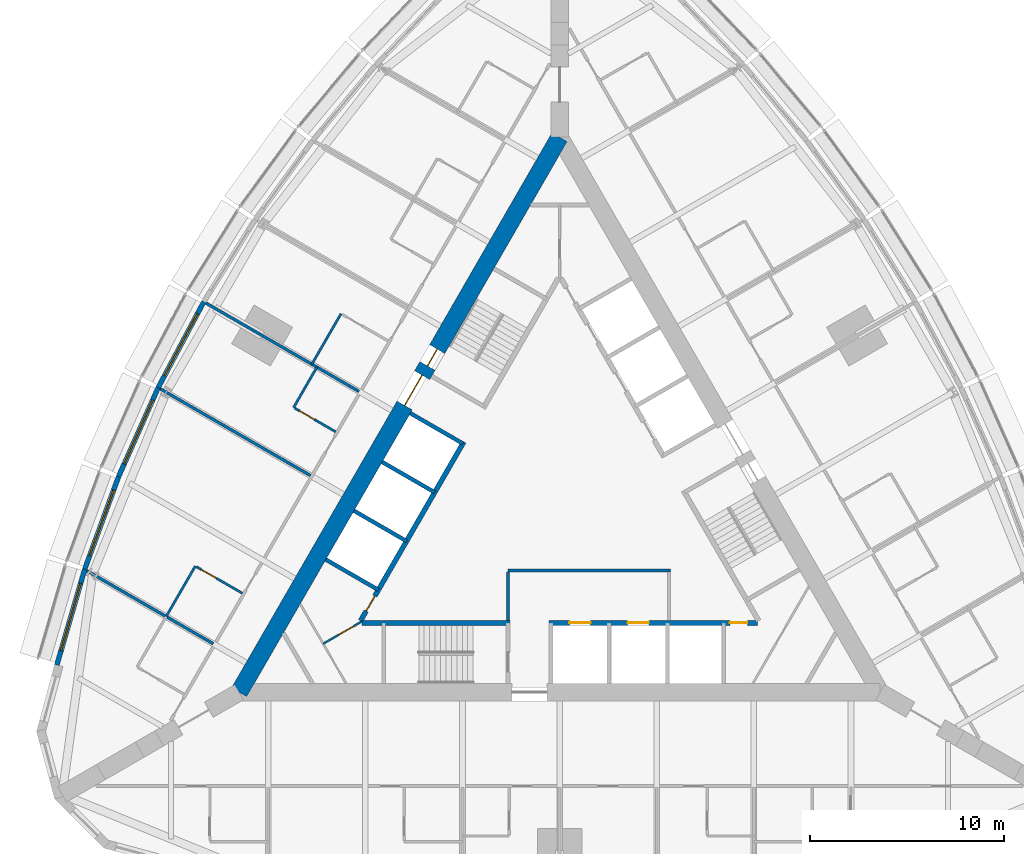
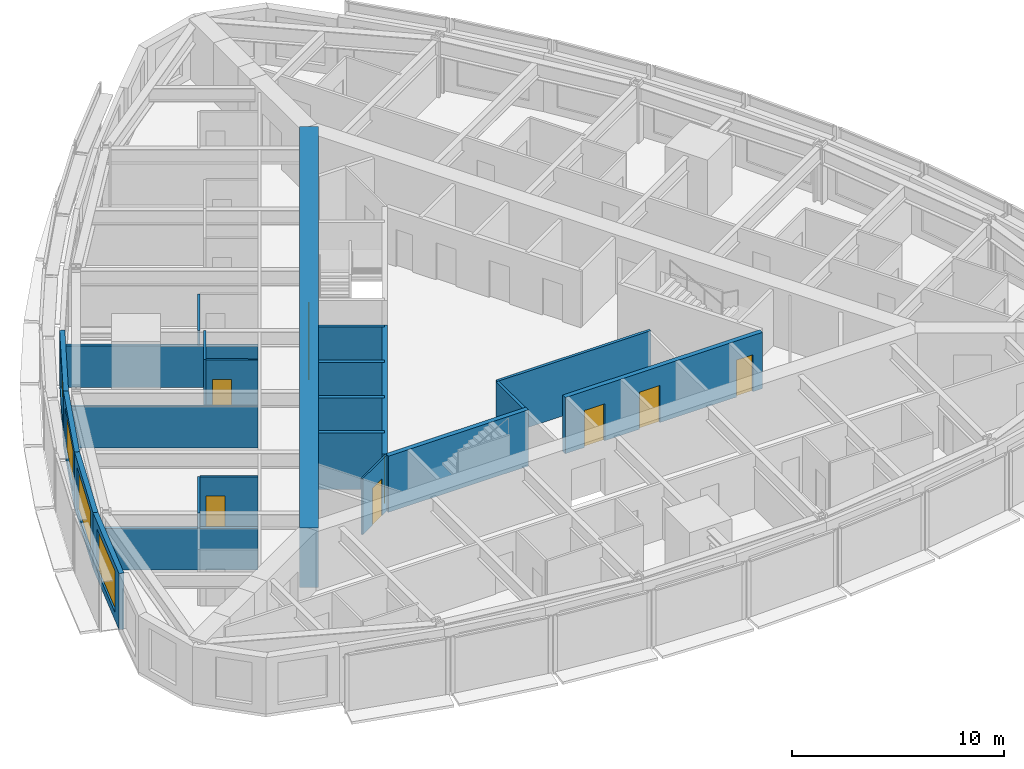
# One storey, part 9 of 14: 23 walls, 9 doors, 4 windows, 13 openings.
"""IFC4 building model written with IfcOpenShell, lengths in metres."""

import ifcopenshell
import ifcopenshell.guid

model = None  # the IFC model being written
_history = None  # IfcOwnerHistory: only IFC2X3 demands one
_inside = {}  # id of a spatial element -> (the spatial element, [elements in it])
_under = {}  # id of a project, library or spatial element -> (it, [spatial elements below it])
_declared = {}  # id of a project -> (the project, [libraries it declares])
_typed = {}  # id of a type object -> (the type object, [elements of that type])
_made_of = {}  # id of a material, layer set ... -> (it, [elements and type objects made of it])


def new_model(schema):
    """Start an empty IFC model of exactly this schema.

    Asked for "IFC4X3", IfcOpenShell would pick the latest addendum, in which some entities
    have other attributes; the version numbers below select the first issue.
    IFC2X3 requires an IfcOwnerHistory on every rooted entity: one is made here for all.
    """
    global model, _history
    if schema == "IFC4X3":
        model = ifcopenshell.file(schema_version=(4, 3, 0, 0))
    else:
        model = ifcopenshell.file(schema=schema)
    _inside.clear()
    _under.clear()
    _declared.clear()
    _typed.clear()
    _made_of.clear()
    _history = None
    if model.schema == "IFC2X3":
        org = make("IfcOrganization", Name="unknown")
        user = make(
            "IfcPersonAndOrganization",
            ThePerson=make("IfcPerson", FamilyName="unknown"),
            TheOrganization=org,
        )
        app = make(
            "IfcApplication",
            ApplicationDeveloper=org,
            Version="unknown",
            ApplicationFullName="unknown",
            ApplicationIdentifier="unknown",
        )
        _history = make(
            "IfcOwnerHistory",
            OwningUser=user,
            OwningApplication=app,
            ChangeAction="ADDED",
            CreationDate=0,
        )
    return model


def make(cls, **values):
    """One entity of the class cls with the attributes given. An attribute that is None is left unset."""
    return model.create_entity(
        cls, **{name: value for name, value in values.items() if value is not None}
    )


def rooted(cls, **values):
    """An entity with a GlobalId (a new one), such as an element, a storey or a relation."""
    return make(cls, GlobalId=ifcopenshell.guid.new(), OwnerHistory=_history, **values)


def si_unit(unit_type, name, prefix=None):
    """IfcSIUnit, for example si_unit("LENGTHUNIT", "METRE", prefix="MILLI")."""
    return make("IfcSIUnit", UnitType=unit_type, Prefix=prefix, Name=name)


def assignment(units):
    """IfcUnitAssignment: the units of a project."""
    return None if units is None else make("IfcUnitAssignment", Units=units)


def point(xyz):
    """IfcCartesianPoint."""
    return None if xyz is None else make("IfcCartesianPoint", Coordinates=xyz)


def direction(xyz):
    """IfcDirection."""
    return None if xyz is None else make("IfcDirection", DirectionRatios=xyz)


def frame(location, z_axis=None, x_axis=None):
    """IfcAxis2Placement3D, a coordinate frame: its origin and axes. An axis left out is left unset."""
    return make(
        "IfcAxis2Placement3D",
        Location=point(location),
        Axis=direction(z_axis),
        RefDirection=direction(x_axis),
    )


def frame_2d(location, x_axis=None):
    """IfcAxis2Placement2D, a coordinate frame in the plane: its origin and x axis."""
    return make(
        "IfcAxis2Placement2D", Location=point(location), RefDirection=direction(x_axis)
    )


def origin():
    """The frame at (0, 0, 0) with its axes left unset."""
    return frame((0.0, 0.0, 0.0))


def place(relative_to, where):
    """IfcLocalPlacement: puts the frame where relative to a parent placement (None: the world)."""
    return make(
        "IfcLocalPlacement", PlacementRelTo=relative_to, RelativePlacement=where
    )


def context(
    kind, dimensions, precision=None, world=None, true_north=None, identifier=None
):
    """IfcGeometricRepresentationContext, for example the 3D "Model" context."""
    return make(
        "IfcGeometricRepresentationContext",
        ContextIdentifier=identifier,
        ContextType=kind,
        CoordinateSpaceDimension=dimensions,
        Precision=precision,
        WorldCoordinateSystem=world,
        TrueNorth=true_north,
    )


def subcontext(parent, identifier, kind, view, scale=None):
    """IfcGeometricRepresentationSubContext, for example "Body" below "Model"."""
    return make(
        "IfcGeometricRepresentationSubContext",
        ContextIdentifier=identifier,
        ContextType=kind,
        ParentContext=parent,
        TargetScale=scale,
        TargetView=view,
    )


def project(units=None, contexts=None):
    """IfcProject with its units and contexts."""
    return rooted(
        "IfcProject",
        Name="project",
        RepresentationContexts=contexts,
        UnitsInContext=assignment(units),
    )


def spatial(cls, under=None, at=None, **own):
    """A site, building, storey or space (cls), placed at a placement, below another one or the project."""
    s = rooted(cls, ObjectPlacement=at, **own)
    if under is not None:
        _under.setdefault(under.id(), (under, []))[1].append(s)
    return s


def profile(cls, at=None, kind="AREA", **sizes):
    """A parametric profile (cls). Its sizes go by their IFC names, for example OverallWidth=200.0."""
    return make(cls, ProfileType=kind, Position=at, **sizes)


def rectangle(**sizes):
    """IfcRectangleProfileDef."""
    return profile("IfcRectangleProfileDef", **sizes)


def extrude(swept, where, along, depth):
    """IfcExtrudedAreaSolid: the profile swept, set in the frame where, extruded along a direction by depth."""
    return make(
        "IfcExtrudedAreaSolid",
        SweptArea=swept,
        Position=where,
        ExtrudedDirection=direction(along),
        Depth=depth,
    )


def shape(context_of_items, identifier, shape_type, items):
    """IfcShapeRepresentation: the items that make up one representation, for example the "Body"."""
    return make(
        "IfcShapeRepresentation",
        ContextOfItems=context_of_items,
        RepresentationIdentifier=identifier,
        RepresentationType=shape_type,
        Items=items,
    )


def material(Name=None, Category=None):
    """IfcMaterial."""
    return make("IfcMaterial", Name=Name, Category=Category)


def layer(
    of_material, thickness, ventilated=None, Name=None, Category=None, Priority=None
):
    """IfcMaterialLayer: one layer of a wall or slab, of a material (None: an air gap)."""
    return make(
        "IfcMaterialLayer",
        Material=of_material,
        LayerThickness=thickness,
        IsVentilated=ventilated,
        Name=Name,
        Category=Category,
        Priority=Priority,
    )


def layer_set(layers, Name=None):
    """IfcMaterialLayerSet."""
    return make("IfcMaterialLayerSet", MaterialLayers=layers, LayerSetName=Name)


def made_of(thing, what):
    """Note that an element or type object is made of a material, layer set ...; save() writes the relation."""
    if what is not None:
        _made_of.setdefault(what.id(), (what, []))[1].append(thing)
    return thing


def type_object(cls, material=None, **own):
    """A type object (cls), such as IfcWallType, which elements share."""
    return made_of(rooted(cls, **own), material)


def element(
    cls,
    number,
    at=None,
    inside=None,
    cuts=None,
    type_object=None,
    material=None,
    context=None,
    identifier="Body",
    shape_type=None,
    held_by="IfcProductDefinitionShape",
    body=None,
    shapes=None,
    **own,
):
    """One element of the class cls, such as IfcWall. Its Tag is "e" and its number.

    at: its placement. inside: the storey or other place that contains it. cuts: it is an
    opening in that element (IfcRelVoidsElement). A single representation is given by context,
    identifier, shape_type and body (its items); several are given by shapes. held_by: the class
    of the entity that holds the representations. save() writes the other relations.
    """
    e = rooted(cls, Tag="e%d" % number, ObjectPlacement=at, **own)
    if body is not None:
        shapes = [shape(context, identifier, shape_type, body)]
    if shapes is not None:
        e.Representation = make(held_by, Representations=shapes)
    if inside is not None:
        _inside.setdefault(inside.id(), (inside, []))[1].append(e)
    if cuts is not None:
        rooted(
            "IfcRelVoidsElement", RelatingBuildingElement=cuts, RelatedOpeningElement=e
        )
    if type_object is not None:
        _typed.setdefault(type_object.id(), (type_object, []))[1].append(e)
    return made_of(e, material)


def fill(opening, filler):
    """IfcRelFillsElement: the door or window that sits in an opening."""
    return rooted(
        "IfcRelFillsElement",
        RelatingOpeningElement=opening,
        RelatedBuildingElement=filler,
    )


def aggregate(whole, parts):
    """IfcRelAggregates: a whole, such as a stair, and the parts it consists of."""
    return rooted("IfcRelAggregates", RelatingObject=whole, RelatedObjects=parts)


def save(model, path):
    """Write the relations noted so far, then the file.

    IfcRelAggregates (storeys below a building ...), IfcRelContainedInSpatialStructure (elements
    in a storey), IfcRelDefinesByType, IfcRelAssociatesMaterial and IfcRelDeclares: one each for
    every whole, place, type object, material and project.
    """
    for whole, parts in _under.values():
        aggregate(whole, parts)
    for where, things in _inside.values():
        rooted(
            "IfcRelContainedInSpatialStructure",
            RelatedElements=things,
            RelatingStructure=where,
        )
    for kind, things in _typed.values():
        rooted("IfcRelDefinesByType", RelatedObjects=things, RelatingType=kind)
    for what, things in _made_of.values():
        rooted("IfcRelAssociatesMaterial", RelatedObjects=things, RelatingMaterial=what)
    for by, libraries in _declared.values():
        rooted("IfcRelDeclares", RelatingContext=by, RelatedDefinitions=libraries)
    model.write(path)


model = new_model("IFC4")

# Units and contexts
model_context = context("Model", 3, precision=1e-05, world=origin(), true_north=direction((0.0, 1.0)))
body_context = subcontext(model_context, "Body", "Model", "MODEL_VIEW")
ifc_project = project(units=[si_unit("LENGTHUNIT", "METRE"), si_unit("AREAUNIT", "SQUARE_METRE"), si_unit("VOLUMEUNIT", "CUBIC_METRE"), si_unit("PLANEANGLEUNIT", "RADIAN"), si_unit("MASSUNIT", "GRAM", prefix="KILO")], contexts=[model_context])

# Site, building, storey
site_placement = place(None, origin())
site = spatial("IfcSite", under=ifc_project, at=site_placement, CompositionType="ELEMENT")
building_placement = place(site_placement, origin())
building = spatial("IfcBuilding", under=site, at=building_placement, Name="Trikona Tower", CompositionType="ELEMENT")
storey_placement = place(building_placement, frame((0.0, 0.0, 124.89990234375)))
storey = spatial("IfcBuildingStorey", under=building, at=storey_placement, Name="L32", CompositionType="ELEMENT", Elevation=124.89990234375)

# Walls
ifc_material_1 = material(Name="Metal stud and cement board", Category="gypsum")
ifc_layer_1 = layer(ifc_material_1, 0.1201171875)
ifc_layer_set_1 = layer_set([ifc_layer_1], Name="Bathroom wall 120")
wall_type_1 = type_object("IfcWallType", Name="Bathroom wall 120", PredefinedType="PLUMBINGWALL", material=ifc_layer_set_1)
wall_1_placement = place(storey_placement, frame((-11.25341796875, 9.961181640625, 0.0), z_axis=(0.0, 0.0, 1.0), x_axis=(-0.499990139034, -0.866031096941, 0.0)))
element("IfcWall", 1, at=wall_1_placement, inside=storey, type_object=wall_type_1, Name="Bathroom wall 3215", PredefinedType="PLUMBINGWALL", context=body_context, shape_type="SweptSolid", body=[
    extrude(rectangle(XDim=3.0, YDim=0.1201171875, at=frame_2d((1.5, 0.0))), origin(), (0.0, 0.0, 1.0), 3.235107421875),
])
wall_2_placement = place(storey_placement, frame((-12.493408203125, 7.213134765625, 0.0), z_axis=(0.0, 0.0, 1.0), x_axis=(-0.500077600433, -0.865980596518, 0.0)))
element("IfcWall", 2, at=wall_2_placement, inside=storey, type_object=wall_type_1, Name="Bathroom wall 3216", PredefinedType="PLUMBINGWALL", context=body_context, shape_type="SweptSolid", body=[
    extrude(rectangle(XDim=2.39990234375, YDim=0.1201171875, at=frame_2d((1.199951171875, 0.0))), origin(), (0.0, 0.0, 1.0), 3.235107421875),
])

# Wall, opening, door
wall_3_placement = place(storey_placement, frame((-11.528564453125, 3.884765625, 0.0), z_axis=(0.0, 0.0, 1.0), x_axis=(-0.866023955769, 0.500002508028, 0.0)))
wall_3 = element("IfcWall", 3, at=wall_3_placement, inside=storey, type_object=wall_type_1, Name="Bathroom wall 3216", PredefinedType="PLUMBINGWALL", context=body_context, shape_type="SweptSolid", body=[
    extrude(rectangle(XDim=2.43994140625, YDim=0.1201171875, at=frame_2d((1.219970703125, 0.0))), origin(), (0.0, 0.0, 1.0), 3.235107421875),
])
opening_1_placement = place(wall_3_placement, frame((1.25, 0.0, 0.0)))
opening_1 = element("IfcOpeningElement", 4, at=opening_1_placement, cuts=wall_3, Name="Opening D2", PredefinedType="OPENING", context=body_context, shape_type="SweptSolid", body=[
    extrude(rectangle(XDim=0.89990234375, YDim=2.1298828125, at=frame_2d((0.449951171875, 1.06494140625))), frame((0.0, 0.070068359375, 0.0), z_axis=(0.0, -1.0, 0.0), x_axis=(1.0, 0.0, 0.0)), (0.0, 0.0, 1.0), 0.14013671875),
])
ifc_material_2 = material(Name="Steel door frame with solid-core timber leaf", Category="steel")
door_type_1 = type_object("IfcDoorType", Name="Bathroom door 900x2130", OperationType="SLIDING_TO_LEFT", PredefinedType="DOOR", material=ifc_material_2)
door_1_placement = place(opening_1_placement, origin())
door_1 = element("IfcDoor", 5, at=door_1_placement, inside=storey, type_object=door_type_1, Name="Bathroom door 3216", OperationType="SLIDING_TO_LEFT", OverallHeight=2.1298828125, OverallWidth=0.89990234375, PredefinedType="DOOR", context=body_context, shape_type="SweptSolid", body=[
    extrude(rectangle(XDim=0.89990234375, YDim=2.1298828125, at=frame_2d((0.449951171875, 1.06494140625))), frame((0.0, 0.02490234375, 0.0), z_axis=(0.0, -1.0, 0.0), x_axis=(1.0, 0.0, 0.0)), (0.0, 0.0, 1.0), 0.050048828125),
])
fill(opening_1, door_1)

# Wall
wall_4_placement = place(storey_placement, frame((-18.75341796875, -3.029296875, 0.0), z_axis=(0.0, 0.0, 1.0), x_axis=(-0.50002537861, -0.866010750942, 0.0)))
element("IfcWall", 6, at=wall_4_placement, inside=storey, type_object=wall_type_1, Name="Bathroom wall 3217", PredefinedType="PLUMBINGWALL", context=body_context, shape_type="SweptSolid", body=[
    extrude(rectangle(XDim=2.999755859375, YDim=0.1201171875, at=frame_2d((1.5, 0.0))), origin(), (0.0, 0.0, 1.0), 3.235107421875),
])

# Wall, opening, door
wall_5_placement = place(storey_placement, frame((-16.32861328125, -4.42919921875, 0.0), z_axis=(0.0, 0.0, 1.0), x_axis=(-0.865997131366, 0.500048966069, 0.0)))
wall_5 = element("IfcWall", 7, at=wall_5_placement, inside=storey, type_object=wall_type_1, Name="Bathroom wall 3217", PredefinedType="PLUMBINGWALL", context=body_context, shape_type="SweptSolid", body=[
    extrude(rectangle(XDim=2.739990234375, YDim=0.1201171875, at=frame_2d((1.3701171875, 0.0))), origin(), (0.0, 0.0, 1.0), 3.235107421875),
])
opening_2_placement = place(wall_5_placement, frame((1.550048828125, 0.0, 0.0)))
opening_2 = element("IfcOpeningElement", 8, at=opening_2_placement, cuts=wall_5, Name="Opening D2", PredefinedType="OPENING", context=body_context, shape_type="SweptSolid", body=[
    extrude(rectangle(XDim=0.89990234375, YDim=2.1298828125, at=frame_2d((0.449951171875, 1.06494140625))), frame((0.0, 0.070068359375, 0.0), z_axis=(0.0, -1.0, 0.0), x_axis=(1.0, 0.0, 0.0)), (0.0, 0.0, 1.0), 0.14013671875),
])
door_2_placement = place(opening_2_placement, origin())
door_2 = element("IfcDoor", 9, at=door_2_placement, inside=storey, type_object=door_type_1, Name="Bathroom door 3217", OperationType="SLIDING_TO_LEFT", OverallHeight=2.1298828125, OverallWidth=0.89990234375, PredefinedType="DOOR", context=body_context, shape_type="SweptSolid", body=[
    extrude(rectangle(XDim=0.89990234375, YDim=2.1298828125, at=frame_2d((0.449951171875, 1.06494140625))), frame((0.0, 0.02490234375, 0.0), z_axis=(0.0, -1.0, 0.0), x_axis=(1.0, 0.0, 0.0)), (0.0, 0.0, 1.0), 0.050048828125),
])
fill(opening_2, door_2)

# Wall, openings, doors
ifc_material_3 = material(Name="Concrete f'c 10000 psi", Category="concrete")
ifc_layer_2 = layer(ifc_material_3, 0.89990234375)
ifc_layer_set_2 = layer_set([ifc_layer_2], Name="Core wall 900")
wall_type_2 = type_object("IfcWallType", Name="Core wall 900", PredefinedType="SHEAR", material=ifc_layer_set_2)
wall_6_placement = place(storey_placement, frame((0.0, 19.052490234375, 0.0), z_axis=(0.0, 0.0, 1.0), x_axis=(-0.499999749417, -0.866025548458, 0.0)))
wall_6 = element("IfcWall", 10, at=wall_6_placement, inside=storey, type_object=wall_type_2, Name="Core wall C", PredefinedType="SHEAR", context=body_context, shape_type="SweptSolid", body=[
    extrude(rectangle(XDim=33.0, YDim=0.89990234375, at=frame_2d((16.5, 0.0))), origin(), (0.0, 0.0, 1.0), 3.400146484375),
])
opening_3_placement = place(wall_6_placement, frame((14.14990234375, 0.0, 0.0)))
opening_3 = element("IfcOpeningElement", 11, at=opening_3_placement, cuts=wall_6, Name="Opening D6", PredefinedType="OPENING", context=body_context, shape_type="SweptSolid", body=[
    extrude(rectangle(XDim=1.800048828125, YDim=2.1298828125, at=frame_2d((0.89990234375, 1.06494140625))), frame((0.0, 0.4599609375, 0.0), z_axis=(0.0, -1.0, 0.0), x_axis=(1.0, 0.0, 0.0)), (0.0, 0.0, 1.0), 0.919921875),
])
opening_4_placement = place(wall_6_placement, frame((12.60009765625, 0.0, 0.0)))
opening_4 = element("IfcOpeningElement", 12, at=opening_4_placement, cuts=wall_6, Name="Opening D5", PredefinedType="OPENING", context=body_context, shape_type="SweptSolid", body=[
    extrude(rectangle(XDim=1.0, YDim=2.1298828125, at=frame_2d((0.5, 1.06494140625))), frame((0.0, 0.4599609375, 0.0), z_axis=(0.0, -1.0, 0.0), x_axis=(1.0, 0.0, 0.0)), (0.0, 0.0, 1.0), 0.919921875),
])
ifc_material_4 = material(Name="Hollow metal door and frame", Category="steel")
door_type_2 = type_object("IfcDoorType", Name="Lobby door pair 1800x2130", OperationType="DOUBLE_DOOR_SINGLE_SWING", PredefinedType="DOOR", material=ifc_material_4)
door_3_placement = place(opening_3_placement, origin())
door_3 = element("IfcDoor", 13, at=door_3_placement, inside=storey, type_object=door_type_2, Name="Lift lobby door C", OperationType="DOUBLE_DOOR_SINGLE_SWING", OverallHeight=2.1298828125, OverallWidth=1.800048828125, PredefinedType="DOOR", context=body_context, shape_type="SweptSolid", body=[
    extrude(rectangle(XDim=1.800048828125, YDim=2.1298828125, at=frame_2d((0.89990234375, 1.06494140625))), frame((0.0, 0.02490234375, 0.0), z_axis=(0.0, -1.0, 0.0), x_axis=(1.0, 0.0, 0.0)), (0.0, 0.0, 1.0), 0.050048828125),
])
fill(opening_3, door_3)
ifc_material_5 = material(Name="Hollow metal door and frame", Category="steel")
door_type_3 = type_object("IfcDoorType", Name="Stair door 1000x2130", OperationType="SINGLE_SWING_LEFT", PredefinedType="DOOR", material=ifc_material_5)
door_4_placement = place(opening_4_placement, origin())
door_4 = element("IfcDoor", 14, at=door_4_placement, inside=storey, type_object=door_type_3, Name="Stair C door", OperationType="SINGLE_SWING_RIGHT", OverallHeight=2.1298828125, OverallWidth=1.0, PredefinedType="DOOR", context=body_context, shape_type="SweptSolid", body=[
    extrude(rectangle(XDim=1.0, YDim=2.1298828125, at=frame_2d((0.5, 1.06494140625))), frame((0.0, 0.02490234375, 0.0), z_axis=(0.0, -1.0, 0.0), x_axis=(1.0, 0.0, 0.0)), (0.0, 0.0, 1.0), 0.050048828125),
])
fill(opening_4, door_4)

# Wall
ifc_material_6 = material(Name="Concrete f'c 8000 psi", Category="concrete")
ifc_layer_3 = layer(ifc_material_6, 0.25)
ifc_layer_set_3 = layer_set([ifc_layer_3], Name="Hub wall 250")
wall_type_3 = type_object("IfcWallType", Name="Hub wall 250", PredefinedType="SOLIDWALL", material=ifc_layer_set_3)
wall_7_placement = place(storey_placement, frame((-10.182861328125, -5.951416015625, 0.0), z_axis=(0.0, 0.0, 1.0), x_axis=(1.0, 0.0, 0.0)))
element("IfcWall", 15, at=wall_7_placement, inside=storey, type_object=wall_type_3, Name="Lift lobby wall A1", PredefinedType="SOLIDWALL", context=body_context, shape_type="SweptSolid", body=[
    extrude(rectangle(XDim=7.6328125, YDim=0.25, at=frame_2d((3.81640625, 0.0))), origin(), (0.0, 0.0, 1.0), 3.235107421875),
])

# Wall, openings, doors
wall_8_placement = place(storey_placement, frame((-0.550048828125, -5.951416015625, 0.0), z_axis=(0.0, 0.0, 1.0), x_axis=(1.0, 0.0, 0.0)))
wall_8 = element("IfcWall", 16, at=wall_8_placement, inside=storey, type_object=wall_type_3, Name="Lift lobby wall A2", PredefinedType="SOLIDWALL", context=body_context, shape_type="SweptSolid", body=[
    extrude(rectangle(XDim=10.73291015625, YDim=0.25, at=frame_2d((5.366455078125, 0.0))), origin(), (0.0, 0.0, 1.0), 3.235107421875),
])
opening_5_placement = place(wall_8_placement, frame((9.31396484375, 0.0, 0.0)))
opening_5 = element("IfcOpeningElement", 17, at=opening_5_placement, cuts=wall_8, Name="Opening D14", PredefinedType="OPENING", context=body_context, shape_type="SweptSolid", body=[
    extrude(rectangle(XDim=0.89990234375, YDim=2.1298828125, at=frame_2d((0.449951171875, 1.06494140625))), frame((0.0, 0.135009765625, 0.0), z_axis=(0.0, -1.0, 0.0), x_axis=(1.0, 0.0, 0.0)), (0.0, 0.0, 1.0), 0.27001953125),
])
opening_6_placement = place(wall_8_placement, frame((1.050048828125, 0.0, 0.0)))
opening_6 = element("IfcOpeningElement", 18, at=opening_6_placement, cuts=wall_8, Name="Opening LD", PredefinedType="OPENING", context=body_context, shape_type="SweptSolid", body=[
    extrude(rectangle(XDim=1.10009765625, YDim=2.1298828125, at=frame_2d((0.550048828125, 1.06494140625))), frame((0.0, 0.135009765625, 0.0), z_axis=(0.0, -1.0, 0.0), x_axis=(1.0, 0.0, 0.0)), (0.0, 0.0, 1.0), 0.27001953125),
])
opening_7_placement = place(wall_8_placement, frame((4.050048828125, 0.0, 0.0)))
opening_7 = element("IfcOpeningElement", 19, at=opening_7_placement, cuts=wall_8, Name="Opening LD", PredefinedType="OPENING", context=body_context, shape_type="SweptSolid", body=[
    extrude(rectangle(XDim=1.10009765625, YDim=2.1298828125, at=frame_2d((0.550048828125, 1.06494140625))), frame((0.0, 0.135009765625, 0.0), z_axis=(0.0, -1.0, 0.0), x_axis=(1.0, 0.0, 0.0)), (0.0, 0.0, 1.0), 0.27001953125),
])
ifc_material_7 = material(Name="Stainless steel lift landing door", Category="steel")
door_type_4 = type_object("IfcDoorType", Name="Lift landing door 1100x2130", OperationType="DOUBLE_DOOR_SLIDING", PredefinedType="USERDEFINED", material=ifc_material_7)
door_5_placement = place(opening_6_placement, origin())
door_5 = element("IfcDoor", 20, at=door_5_placement, inside=storey, type_object=door_type_4, Name="Lift landing door FF1", ObjectType="LIFT LANDING DOOR", OperationType="DOUBLE_DOOR_SLIDING", OverallHeight=2.1298828125, OverallWidth=1.10009765625, PredefinedType="USERDEFINED", context=body_context, shape_type="SweptSolid", body=[
    extrude(rectangle(XDim=1.10009765625, YDim=2.1298828125, at=frame_2d((0.550048828125, 1.06494140625))), frame((0.0, 0.02490234375, 0.0), z_axis=(0.0, -1.0, 0.0), x_axis=(1.0, 0.0, 0.0)), (0.0, 0.0, 1.0), 0.050048828125),
])
fill(opening_6, door_5)
door_6_placement = place(opening_7_placement, origin())
door_6 = element("IfcDoor", 21, at=door_6_placement, inside=storey, type_object=door_type_4, Name="Lift landing door FF2", ObjectType="LIFT LANDING DOOR", OperationType="DOUBLE_DOOR_SLIDING", OverallHeight=2.1298828125, OverallWidth=1.10009765625, PredefinedType="USERDEFINED", context=body_context, shape_type="SweptSolid", body=[
    extrude(rectangle(XDim=1.10009765625, YDim=2.1298828125, at=frame_2d((0.550048828125, 1.06494140625))), frame((0.0, 0.02490234375, 0.0), z_axis=(0.0, -1.0, 0.0), x_axis=(1.0, 0.0, 0.0)), (0.0, 0.0, 1.0), 0.050048828125),
])
fill(opening_7, door_6)
ifc_material_8 = material(Name="Hollow metal door and frame", Category="steel")
door_type_5 = type_object("IfcDoorType", Name="Service room door 900x2130", OperationType="SINGLE_SWING_LEFT", PredefinedType="DOOR", material=ifc_material_8)
door_7_placement = place(opening_5_placement, origin())
door_7 = element("IfcDoor", 22, at=door_7_placement, inside=storey, type_object=door_type_5, Name="Door Linen store LIN", OperationType="SINGLE_SWING_RIGHT", OverallHeight=2.1298828125, OverallWidth=0.89990234375, PredefinedType="DOOR", context=body_context, shape_type="SweptSolid", body=[
    extrude(rectangle(XDim=0.89990234375, YDim=2.1298828125, at=frame_2d((0.449951171875, 1.06494140625))), frame((0.0, 0.02490234375, 0.0), z_axis=(0.0, -1.0, 0.0), x_axis=(1.0, 0.0, 0.0)), (0.0, 0.0, 1.0), 0.050048828125),
])
fill(opening_5, door_7)

# Wall, opening, door
wall_9_placement = place(storey_placement, frame((-4.928955078125, 3.365478515625, 0.0), z_axis=(0.0, 0.0, 1.0), x_axis=(-0.499991433582, -0.866030349552, 0.0)))
wall_9 = element("IfcWall", 23, at=wall_9_placement, inside=storey, type_object=wall_type_3, Name="Lift lobby wall C2", PredefinedType="SOLIDWALL", context=body_context, shape_type="SweptSolid", body=[
    extrude(rectangle(XDim=10.633056640625, YDim=0.25, at=frame_2d((5.31640625, 0.0))), origin(), (0.0, 0.0, 1.0), 3.235107421875),
])
opening_8_placement = place(wall_9_placement, frame((9.1640625, 0.0, 0.0)))
opening_8 = element("IfcOpeningElement", 24, at=opening_8_placement, cuts=wall_9, Name="Opening D14", PredefinedType="OPENING", context=body_context, shape_type="SweptSolid", body=[
    extrude(rectangle(XDim=0.89990234375, YDim=2.1298828125, at=frame_2d((0.449951171875, 1.06494140625))), frame((0.0, 0.135009765625, 0.0), z_axis=(0.0, -1.0, 0.0), x_axis=(1.0, 0.0, 0.0)), (0.0, 0.0, 1.0), 0.27001953125),
])
door_8_placement = place(opening_8_placement, origin())
door_8 = element("IfcDoor", 25, at=door_8_placement, inside=storey, type_object=door_type_5, Name="Door Housekeeping store HKS", OperationType="SINGLE_SWING_RIGHT", OverallHeight=2.1298828125, OverallWidth=0.89990234375, PredefinedType="DOOR", context=body_context, shape_type="SweptSolid", body=[
    extrude(rectangle(XDim=0.89990234375, YDim=2.1298828125, at=frame_2d((0.449951171875, 1.06494140625))), frame((0.0, 0.02490234375, 0.0), z_axis=(0.0, -1.0, 0.0), x_axis=(1.0, 0.0, 0.0)), (0.0, 0.0, 1.0), 0.050048828125),
])
fill(opening_8, door_8)

# Wall, opening, window
ifc_material_9 = material(Name="Insulated precast concrete spandrel panel", Category="concrete")
ifc_layer_4 = layer(ifc_material_9, 0.25)
ifc_layer_set_4 = layer_set([ifc_layer_4], Name="Inner skin wall 250")
wall_type_4 = type_object("IfcWallType", Name="Inner skin wall 250", PredefinedType="STANDARD", material=ifc_layer_set_4)
wall_10_placement = place(storey_placement, frame((-18.314453125, 10.578857421875, 0.0), z_axis=(0.0, 0.0, 1.0), x_axis=(-0.469404966864, -0.882982999317, 0.0)))
wall_10 = element("IfcWall", 26, at=wall_10_placement, inside=storey, type_object=wall_type_4, Name="External wall L32-28", PredefinedType="STANDARD", context=body_context, shape_type="SweptSolid", body=[
    extrude(rectangle(XDim=5.0029296875, YDim=0.25, at=frame_2d((2.50146484375, 0.0))), origin(), (0.0, 0.0, 1.0), 3.235107421875),
])
opening_9_placement = place(wall_10_placement, frame((0.701416015625, 0.0, 0.449951171875)))
opening_9 = element("IfcOpeningElement", 27, at=opening_9_placement, cuts=wall_10, Name="Opening W3624", PredefinedType="OPENING", context=body_context, shape_type="SweptSolid", body=[
    extrude(rectangle(XDim=3.60009765625, YDim=2.39990234375, at=frame_2d((1.800048828125, 1.199951171875))), frame((0.0, 0.135009765625, 0.0), z_axis=(0.0, -1.0, 0.0), x_axis=(1.0, 0.0, 0.0)), (0.0, 0.0, 1.0), 0.27001953125),
])
ifc_material_10 = material(Name="Aluminium-framed double glazing", Category="aluminium")
window_type = type_object("IfcWindowType", Name="Window 3600x2400", PartitioningType="SINGLE_PANEL", PredefinedType="WINDOW", material=ifc_material_10)
window_1_placement = place(opening_9_placement, origin())
window_1 = element("IfcWindow", 28, at=window_1_placement, inside=storey, type_object=window_type, Name="Window 3216", OverallHeight=2.39990234375, OverallWidth=3.60009765625, PartitioningType="SINGLE_PANEL", PredefinedType="WINDOW", context=body_context, shape_type="SweptSolid", body=[
    extrude(rectangle(XDim=3.60009765625, YDim=2.39990234375, at=frame_2d((1.800048828125, 1.199951171875))), frame((0.0, 0.030029296875, 0.0), z_axis=(0.0, -1.0, 0.0), x_axis=(1.0, 0.0, 0.0)), (0.0, 0.0, 1.0), 0.06005859375),
])
fill(opening_9, window_1)

wall_11_placement = place(storey_placement, frame((-20.6591796875, 6.169189453125, 0.0), z_axis=(0.0, 0.0, 1.0), x_axis=(-0.406832200364, -0.913502906808, 0.0)))
wall_11 = element("IfcWall", 29, at=wall_11_placement, inside=storey, type_object=wall_type_4, Name="External wall L32-29", PredefinedType="STANDARD", context=body_context, shape_type="SweptSolid", body=[
    extrude(rectangle(XDim=5.027587890625, YDim=0.25, at=frame_2d((2.513671875, 0.0))), origin(), (0.0, 0.0, 1.0), 3.235107421875),
])
opening_10_placement = place(wall_11_placement, frame((0.713623046875, 0.0, 0.449951171875)))
opening_10 = element("IfcOpeningElement", 30, at=opening_10_placement, cuts=wall_11, Name="Opening W3624", PredefinedType="OPENING", context=body_context, shape_type="SweptSolid", body=[
    extrude(rectangle(XDim=3.60009765625, YDim=2.39990234375, at=frame_2d((1.800048828125, 1.199951171875))), frame((0.0, 0.135009765625, 0.0), z_axis=(0.0, -1.0, 0.0), x_axis=(1.0, 0.0, 0.0)), (0.0, 0.0, 1.0), 0.27001953125),
])
window_2_placement = place(opening_10_placement, origin())
window_2 = element("IfcWindow", 31, at=window_2_placement, inside=storey, type_object=window_type, Name="Window 3217", OverallHeight=2.39990234375, OverallWidth=3.60009765625, PartitioningType="SINGLE_PANEL", PredefinedType="WINDOW", context=body_context, shape_type="SweptSolid", body=[
    extrude(rectangle(XDim=3.60009765625, YDim=2.39990234375, at=frame_2d((1.800048828125, 1.199951171875))), frame((0.0, 0.030029296875, 0.0), z_axis=(0.0, -1.0, 0.0), x_axis=(1.0, 0.0, 0.0)), (0.0, 0.0, 1.0), 0.06005859375),
])
fill(opening_10, window_2)

wall_12_placement = place(storey_placement, frame((-22.701416015625, 1.58447265625, 0.0), z_axis=(0.0, 0.0, 1.0), x_axis=(-0.343225593282, -0.939252996863, 0.0)))
wall_12 = element("IfcWall", 32, at=wall_12_placement, inside=storey, type_object=wall_type_4, Name="External wall L32-30", PredefinedType="STANDARD", context=body_context, shape_type="SweptSolid", body=[
    extrude(rectangle(XDim=5.075927734375, YDim=0.25, at=frame_2d((2.5380859375, 0.0))), origin(), (0.0, 0.0, 1.0), 3.235107421875),
])
opening_11_placement = place(wall_12_placement, frame((0.738037109375, 0.0, 0.449951171875)))
opening_11 = element("IfcOpeningElement", 33, at=opening_11_placement, cuts=wall_12, Name="Opening W3624", PredefinedType="OPENING", context=body_context, shape_type="SweptSolid", body=[
    extrude(rectangle(XDim=3.60009765625, YDim=2.39990234375, at=frame_2d((1.800048828125, 1.199951171875))), frame((0.0, 0.135009765625, 0.0), z_axis=(0.0, -1.0, 0.0), x_axis=(1.0, 0.0, 0.0)), (0.0, 0.0, 1.0), 0.27001953125),
])
window_3_placement = place(opening_11_placement, origin())
window_3 = element("IfcWindow", 34, at=window_3_placement, inside=storey, type_object=window_type, Name="Window 3217", OverallHeight=2.39990234375, OverallWidth=3.60009765625, PartitioningType="SINGLE_PANEL", PredefinedType="WINDOW", context=body_context, shape_type="SweptSolid", body=[
    extrude(rectangle(XDim=3.60009765625, YDim=2.39990234375, at=frame_2d((1.800048828125, 1.199951171875))), frame((0.0, 0.030029296875, 0.0), z_axis=(0.0, -1.0, 0.0), x_axis=(1.0, 0.0, 0.0)), (0.0, 0.0, 1.0), 0.06005859375),
])
fill(opening_11, window_3)

wall_13_placement = place(storey_placement, frame((-24.44091796875, -3.17529296875, 0.0), z_axis=(0.0, 0.0, 1.0), x_axis=(-0.279528287117, -0.960137457191, 0.0)))
wall_13 = element("IfcWall", 35, at=wall_13_placement, inside=storey, type_object=wall_type_4, Name="External wall L32-31", PredefinedType="STANDARD", context=body_context, shape_type="SweptSolid", body=[
    extrude(rectangle(XDim=5.14794921875, YDim=0.25, at=frame_2d((2.573974609375, 0.0))), origin(), (0.0, 0.0, 1.0), 3.235107421875),
])
opening_12_placement = place(wall_13_placement, frame((0.77392578125, 0.0, 0.449951171875)))
opening_12 = element("IfcOpeningElement", 36, at=opening_12_placement, cuts=wall_13, Name="Opening W3624", PredefinedType="OPENING", context=body_context, shape_type="SweptSolid", body=[
    extrude(rectangle(XDim=3.60009765625, YDim=2.39990234375, at=frame_2d((1.800048828125, 1.199951171875))), frame((0.0, 0.135009765625, 0.0), z_axis=(0.0, -1.0, 0.0), x_axis=(1.0, 0.0, 0.0)), (0.0, 0.0, 1.0), 0.27001953125),
])
window_4_placement = place(opening_12_placement, origin())
window_4 = element("IfcWindow", 37, at=window_4_placement, inside=storey, type_object=window_type, Name="Window 3218", OverallHeight=2.39990234375, OverallWidth=3.60009765625, PartitioningType="SINGLE_PANEL", PredefinedType="WINDOW", context=body_context, shape_type="SweptSolid", body=[
    extrude(rectangle(XDim=3.60009765625, YDim=2.39990234375, at=frame_2d((1.800048828125, 1.199951171875))), frame((0.0, 0.030029296875, 0.0), z_axis=(0.0, -1.0, 0.0), x_axis=(1.0, 0.0, 0.0)), (0.0, 0.0, 1.0), 0.06005859375),
])
fill(opening_12, window_4)

# Walls
ifc_material_11 = material(Name="Metal stud and gypsum board, 2-hour shaft wall", Category="gypsum")
ifc_layer_5 = layer(ifc_material_11, 0.14990234375)
ifc_layer_set_5 = layer_set([ifc_layer_5], Name="Lobby wall 150")
wall_type_5 = type_object("IfcWallType", Name="Lobby wall 150", PredefinedType="PARTITIONING", material=ifc_layer_set_5)
wall_14_placement = place(storey_placement, frame((-2.64990234375, -3.251220703125, 0.0), z_axis=(0.0, 0.0, 1.0), x_axis=(1.0, 0.0, 0.0)))
element("IfcWall", 38, at=wall_14_placement, inside=storey, type_object=wall_type_5, Name="Fire service lift lobby wall 1", PredefinedType="PARTITIONING", context=body_context, shape_type="SweptSolid", body=[
    extrude(rectangle(XDim=8.349853515625, YDim=0.14990234375, at=frame_2d((4.1748046875, 0.0))), origin(), (0.0, 0.0, 1.0), 3.235107421875),
])
wall_15_placement = place(storey_placement, frame((-2.64990234375, -5.826416015625, 0.0), z_axis=(0.0, 0.0, 1.0), x_axis=(0.0, 1.0, 0.0)))
element("IfcWall", 39, at=wall_15_placement, inside=storey, type_object=wall_type_5, Name="Fire service lift lobby wall 2", PredefinedType="PARTITIONING", context=body_context, shape_type="SweptSolid", body=[
    extrude(rectangle(XDim=2.5, YDim=0.14990234375, at=frame_2d((1.25, 0.0))), origin(), (0.0, 0.0, 1.0), 3.235107421875),
])
ifc_material_12 = material(Name="Metal stud and gypsum board, 1-hour acoustic", Category="gypsum")
ifc_layer_6 = layer(ifc_material_12, 0.14990234375)
ifc_layer_set_6 = layer_set([ifc_layer_6], Name="Party wall 150")
wall_type_6 = type_object("IfcWallType", Name="Party wall 150", PredefinedType="PARTITIONING", material=ifc_layer_set_6)
wall_16_placement = place(storey_placement, frame((-10.32861328125, 5.963134765625, 0.0), z_axis=(0.0, 0.0, 1.0), x_axis=(-0.866025170687, 0.500000403736, 0.0)))
element("IfcWall", 40, at=wall_16_placement, inside=storey, type_object=wall_type_6, Name="Partition L32 F3 u0", PredefinedType="PARTITIONING", context=body_context, shape_type="SweptSolid", body=[
    extrude(rectangle(XDim=9.0986328125, YDim=0.14990234375, at=frame_2d((4.54931640625, 0.0))), origin(), (0.0, 0.0, 1.0), 2.389404296875),
])
wall_17_placement = place(storey_placement, frame((-12.82861328125, 1.633056640625, 0.0), z_axis=(0.0, 0.0, 1.0), x_axis=(-0.866027015393, 0.499997208602, 0.0)))
element("IfcWall", 41, at=wall_17_placement, inside=storey, type_object=wall_type_6, Name="Partition L32 F3 u5", PredefinedType="PARTITIONING", context=body_context, shape_type="SweptSolid", body=[
    extrude(rectangle(XDim=8.92236328125, YDim=0.14990234375, at=frame_2d((4.461181640625, 0.0))), origin(), (0.0, 0.0, 1.0), 2.389404296875),
])
wall_18_placement = place(storey_placement, frame((-17.82861328125, -7.027099609375, 0.0), z_axis=(0.0, 0.0, 1.0), x_axis=(-0.866029804378, 0.499992377871, 0.0)))
element("IfcWall", 42, at=wall_18_placement, inside=storey, type_object=wall_type_6, Name="Partition L32 F3 u15", PredefinedType="PARTITIONING", context=body_context, shape_type="SweptSolid", body=[
    extrude(rectangle(XDim=7.51611328125, YDim=0.14990234375, at=frame_2d((3.758056640625, 0.0))), origin(), (0.0, 0.0, 1.0), 2.389404296875),
])
ifc_material_13 = material(Name="Concrete f'c 8000 psi", Category="concrete")
ifc_layer_7 = layer(ifc_material_13, 0.199951171875)
ifc_layer_set_7 = layer_set([ifc_layer_7], Name="Shaft wall 200")
wall_type_7 = type_object("IfcWallType", Name="Shaft wall 200", PredefinedType="SOLIDWALL", material=ifc_layer_set_7)
for number, where, z_axis, x_axis, name in (
    (43, (-4.97900390625, 3.27880859375, 0.0), (0.0, 0.0, 1.0), (-0.866022959057, 0.500004234368, 0.0), "Shaft wall C3"),
    (44, (-6.428955078125, 0.767333984375, 0.0), (0.0, 0.0, 1.0), (-0.866022959057, 0.500004234368, 0.0), "Shaft wall C4"),
    (45, (-7.87890625, -1.744140625, 0.0), (0.0, 0.0, 1.0), (-0.866022959057, 0.500004234368, 0.0), "Shaft wall C5"),
    (46, (-9.3291015625, -4.255615234375, 0.0), (0.0, 0.0, 1.0), (-0.866022959057, 0.500004234368, 0.0), "Shaft wall C6"),
):
    element("IfcWall", number, at=place(storey_placement, frame(where, z_axis=z_axis, x_axis=x_axis)), inside=storey, type_object=wall_type_7, Name=name, PredefinedType="SOLIDWALL", context=body_context, shape_type="SweptSolid", body=[
        extrude(rectangle(XDim=3.125, YDim=0.199951171875, at=frame_2d((1.5625, 0.0))), origin(), (0.0, 0.0, 1.0), 3.235107421875),
    ])

# Wall, opening, door
ifc_material_14 = material(Name="Metal stud and gypsum board, acoustic", Category="gypsum")
ifc_layer_8 = layer(ifc_material_14, 0.10009765625)
ifc_layer_set_8 = layer_set([ifc_layer_8], Name="Suite partition 100")
wall_type_8 = type_object("IfcWallType", Name="Suite partition 100", PredefinedType="PARTITIONING", material=ifc_layer_set_8)
wall_19_placement = place(storey_placement, frame((-12.169921875, -7.0263671875, 0.0), z_axis=(0.0, 0.0, 1.0), x_axis=(0.866015833478, 0.50001657589, 0.0)))
wall_19 = element("IfcWall", 47, at=wall_19_placement, inside=storey, type_object=wall_type_8, Name="Store partition L32-RS3", PredefinedType="PARTITIONING", context=body_context, shape_type="SweptSolid", body=[
    extrude(rectangle(XDim=2.275390625, YDim=0.10009765625, at=frame_2d((1.1376953125, 0.0))), origin(), (0.0, 0.0, 1.0), 3.235107421875),
])
opening_13_placement = place(wall_19_placement, frame((0.9150390625, 0.0, 0.0)))
opening_13 = element("IfcOpeningElement", 48, at=opening_13_placement, cuts=wall_19, Name="Opening D15", PredefinedType="OPENING", context=body_context, shape_type="SweptSolid", body=[
    extrude(rectangle(XDim=0.89990234375, YDim=2.1298828125, at=frame_2d((0.449951171875, 1.06494140625))), frame((0.0, 0.06005859375, 0.0), z_axis=(0.0, -1.0, 0.0), x_axis=(1.0, 0.0, 0.0)), (0.0, 0.0, 1.0), 0.1201171875),
])
ifc_material_15 = material(Name="Steel door frame with solid-core timber leaf", Category="steel")
door_type_6 = type_object("IfcDoorType", Name="Store door 900x2130", OperationType="SINGLE_SWING_LEFT", PredefinedType="DOOR", material=ifc_material_15)
door_9_placement = place(opening_13_placement, origin())
door_9 = element("IfcDoor", 49, at=door_9_placement, inside=storey, type_object=door_type_6, Name="Door Minibar store MBS", OperationType="SINGLE_SWING_RIGHT", OverallHeight=2.1298828125, OverallWidth=0.89990234375, PredefinedType="DOOR", context=body_context, shape_type="SweptSolid", body=[
    extrude(rectangle(XDim=0.89990234375, YDim=2.1298828125, at=frame_2d((0.449951171875, 1.06494140625))), frame((0.0, 0.02490234375, 0.0), z_axis=(0.0, -1.0, 0.0), x_axis=(1.0, 0.0, 0.0)), (0.0, 0.0, 1.0), 0.050048828125),
])
fill(opening_13, door_9)

save(model, "model.ifc")
